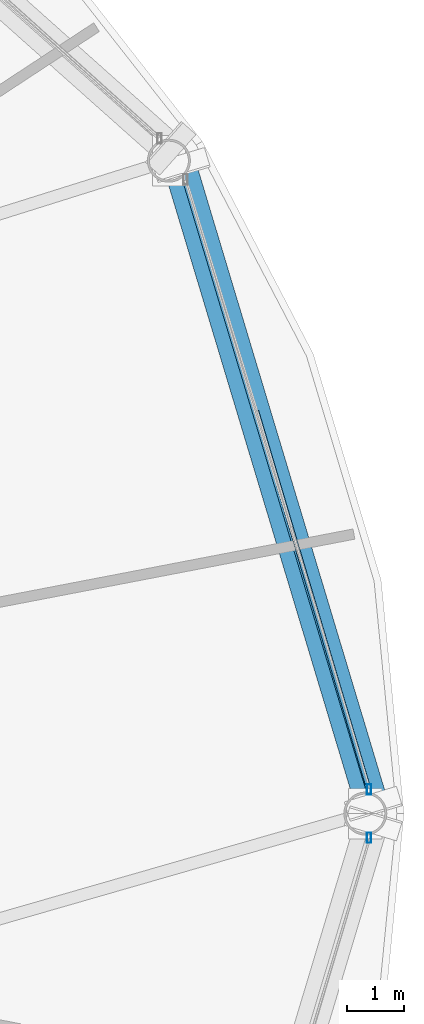
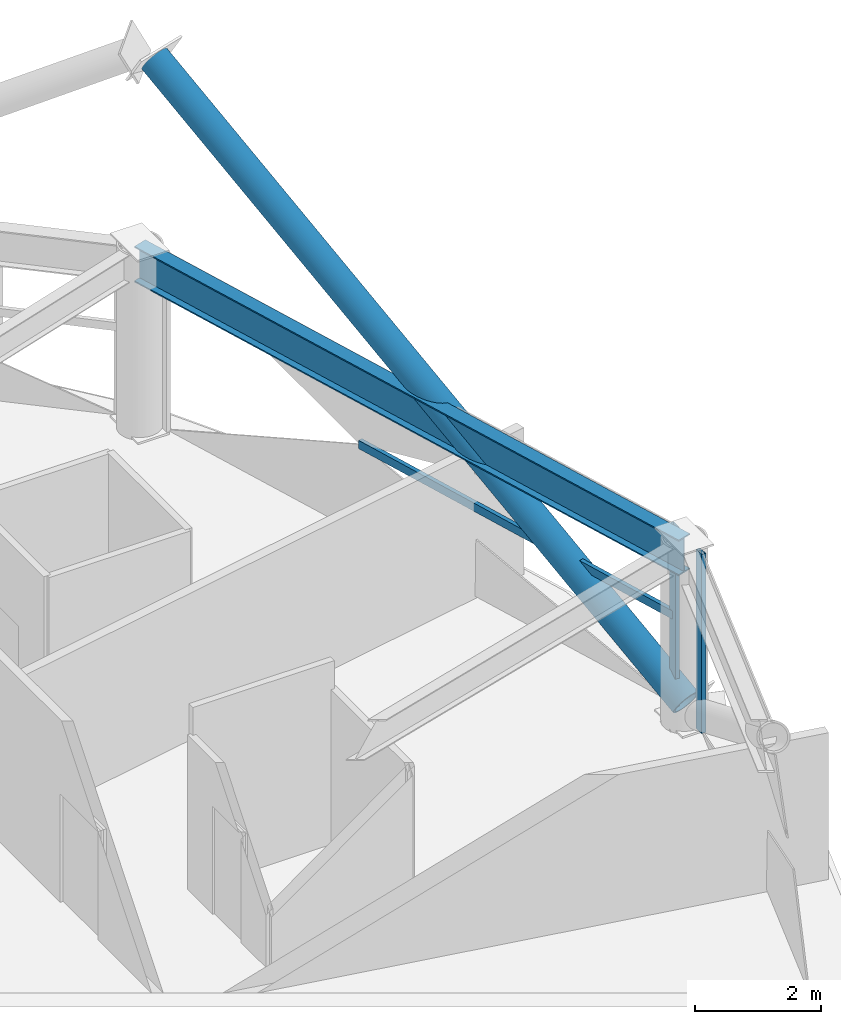
# One storey, part 12 of 32: 4 members, 1 beam, 2 elements without a shape of their own.
"""IFC4 building model written with IfcOpenShell, lengths in metres."""

from ifc_helpers import new_model, si_unit, direction, frame, origin, origin_2d, place, context, subcontext, project, spatial, hollow_rectangle, hollow_circle, i_section, extrude, material, layer, layer_set, material_profile, profile_set, type_object, element, aggregate, save


model = new_model("IFC4")

# Units and contexts
model_context = context("Model", 3, precision=1e-05, world=origin(), true_north=direction((0.0, 1.0)))
body_context = subcontext(model_context, "Body", "Model", "MODEL_VIEW")
ifc_project = project(units=[si_unit("LENGTHUNIT", "METRE"), si_unit("AREAUNIT", "SQUARE_METRE"), si_unit("VOLUMEUNIT", "CUBIC_METRE"), si_unit("PLANEANGLEUNIT", "RADIAN"), si_unit("MASSUNIT", "GRAM", prefix="KILO")], contexts=[model_context])

# Site, building, storey
site_placement = place(None, origin())
site = spatial("IfcSite", under=ifc_project, at=site_placement, CompositionType="ELEMENT")
building_placement = place(site_placement, origin())
building = spatial("IfcBuilding", under=site, at=building_placement, Name="Vantalir Tower", CompositionType="ELEMENT")
storey_placement = place(building_placement, frame((0.0, 0.0, 104.699951171875)))
storey = spatial("IfcBuildingStorey", under=building, at=storey_placement, Name="L25", CompositionType="ELEMENT", Elevation=104.699951171875)

# Beam
ifc_material_1 = material(Name="Steel S460", Category="steel")
ifc_material_profile_1 = material_profile(ifc_material_1, i_section(OverallWidth=0.256103515625, OverallDepth=0.693115234375, WebThickness=0.014404296875, FlangeThickness=0.023681640625, at=origin_2d()), Name="Steel S460")
ifc_profile_set_1 = profile_set([ifc_material_profile_1], Name="Steel S460")
beam_type = type_object("IfcBeamType", Name="BM-RG-686x254", PredefinedType="USERDEFINED", material=ifc_profile_set_1)
beam_placement = place(storey_placement, frame((57.087890625, 25.0, 3.22314453125), z_axis=(-0.288100770592, 0.95760009711, 0.0), x_axis=(-0.95760009711, -0.288100770592, 0.0)))
element("IfcBeam", 1, at=beam_placement, inside=storey, type_object=beam_type, Name="L25 Circumferential Ring Girder 01", ObjectType="GIRDER", PredefinedType="USERDEFINED", context=body_context, shape_type="SweptSolid", body=[
    extrude(i_section(OverallWidth=0.256103515625, OverallDepth=0.693115234375, WebThickness=0.014404296875, FlangeThickness=0.023681640625, at=origin_2d()), origin(), (0.0, 0.0, 1.0), 11.8984375),
])

# Curtain wall, member
ifc_material_2 = material(Name="Champagne-silver PVDF aluminium and double-silver Low-E glass", Category="aluminium")
ifc_layer = layer(ifc_material_2, 0.199951171875)
ifc_layer_set = layer_set([ifc_layer], Name="Champagne-silver PVDF aluminium and double-silver Low-E glass")
curtain_wall_type = type_object("IfcCurtainWallType", Name="CW-DIAMOND-Z2", PredefinedType="USERDEFINED", material=ifc_layer_set)
curtain_wall_1_placement = place(storey_placement, origin())
curtain_wall_1 = element("IfcCurtainWall", 2, at=curtain_wall_1_placement, inside=storey, type_object=curtain_wall_type, Name="L25 Quilted Pyramid-Diamond Curtain Wall S01", ObjectType="UNITISED CURTAIN WALL", PredefinedType="USERDEFINED")
ifc_material_3 = material(Name="Champagne-silver PVDF aluminium 6063-T6", Category="aluminium")
ifc_material_profile_2 = material_profile(ifc_material_3, hollow_rectangle(XDim=0.074951171875, YDim=0.179931640625, WallThickness=0.00390625, at=origin_2d()), Name="Champagne-silver PVDF aluminium 6063-T6")
ifc_profile_set_2 = profile_set([ifc_material_profile_2], Name="Champagne-silver PVDF aluminium 6063-T6")
member_type_1 = type_object("IfcMemberType", Name="CWM-180x75", PredefinedType="MULLION", material=ifc_profile_set_2)
member_1_placement = place(storey_placement, frame((57.15087890625, 25.4208984375, 0.045166015625), z_axis=(0.0, 0.0, 1.0), x_axis=(1.0, 0.0, 0.0)))
member_1 = element("IfcMember", 3, at=member_1_placement, type_object=member_type_1, Name="CW-L25-S01 Mullion 1", PredefinedType="MULLION", context=body_context, shape_type="SweptSolid", body=[
    extrude(hollow_rectangle(XDim=0.074951171875, YDim=0.179931640625, WallThickness=0.00390625, at=origin_2d()), origin(), (0.0, 0.0, 1.0), 3.47998046875),
])

curtain_wall_2_placement = place(storey_placement, origin())
curtain_wall_2 = element("IfcCurtainWall", 4, at=curtain_wall_2_placement, inside=storey, type_object=curtain_wall_type, Name="L25 Quilted Pyramid-Diamond Curtain Wall S12", ObjectType="UNITISED CURTAIN WALL", PredefinedType="USERDEFINED")
member_2_placement = place(storey_placement, frame((57.15087890625, 24.5791015625, 0.045166015625), z_axis=(0.0, 0.0, 1.0), x_axis=(1.0, 0.0, 0.0)))
member_2 = element("IfcMember", 5, at=member_2_placement, type_object=member_type_1, Name="CW-L25-S12 Mullion 2", PredefinedType="MULLION", context=body_context, shape_type="SweptSolid", body=[
    extrude(hollow_rectangle(XDim=0.074951171875, YDim=0.179931640625, WallThickness=0.00390625, at=origin_2d()), origin(), (0.0, 0.0, 1.0), 3.47998046875),
])
aggregate(curtain_wall_2, [member_2])

# Member
ifc_material_profile_3 = material_profile(ifc_material_3, hollow_rectangle(XDim=0.074951171875, YDim=0.159912109375, WallThickness=0.00390625, at=origin_2d()), Name="Champagne-silver PVDF aluminium 6063-T6")
ifc_profile_set_3 = profile_set([ifc_material_profile_3], Name="Champagne-silver PVDF aluminium 6063-T6")
member_type_2 = type_object("IfcMemberType", Name="CWT-160x75", PredefinedType="USERDEFINED", material=ifc_profile_set_3)
member_3_placement = place(storey_placement, frame((57.15087890625, 25.4208984375, 1.78515625), z_axis=(-0.284483852741, 0.95868083194, 0.0), x_axis=(-0.95868083194, -0.284483852741, 0.0)))
member_3 = element("IfcMember", 6, at=member_3_placement, type_object=member_type_2, Name="CW-L25-S01 Pyramid Fold Ridge Transom", ObjectType="TRANSOM", PredefinedType="USERDEFINED", context=body_context, shape_type="SweptSolid", body=[
    extrude(hollow_rectangle(XDim=0.074951171875, YDim=0.159912109375, WallThickness=0.00390625, at=origin_2d()), origin(), (0.0, 0.0, 1.0), 6.89306640625),
])

aggregate(curtain_wall_1, [member_1, member_3])

ifc_material_profile_4 = material_profile(ifc_material_1, hollow_circle(Radius=0.260009765625, WallThickness=0.0380859375, at=origin_2d()), Name="Steel S460")
ifc_profile_set_4 = profile_set([ifc_material_profile_4], Name="Steel S460")
member_type_3 = type_object("IfcMemberType", Name="MEM-DB-520x38", PredefinedType="BRACE", material=ifc_profile_set_4)
member_4_placement = place(storey_placement, frame((57.22412109375, 25.180908203125, 0.193115234375), z_axis=(-0.247297037267, 0.822344744457, 0.512438578391), x_axis=(-0.957635816224, -0.287982019377, 0.0)))
element("IfcMember", 7, at=member_4_placement, inside=storey, type_object=member_type_3, Name="L25 Perimeter S460 Diagrid Brace R01L", PredefinedType="BRACE", context=body_context, shape_type="SweptSolid", body=[
    extrude(hollow_circle(Radius=0.260009765625, WallThickness=0.0380859375, at=origin_2d()), origin(), (0.0, 0.0, 1.0), 13.531005859375),
])

save(model, "model.ifc")
